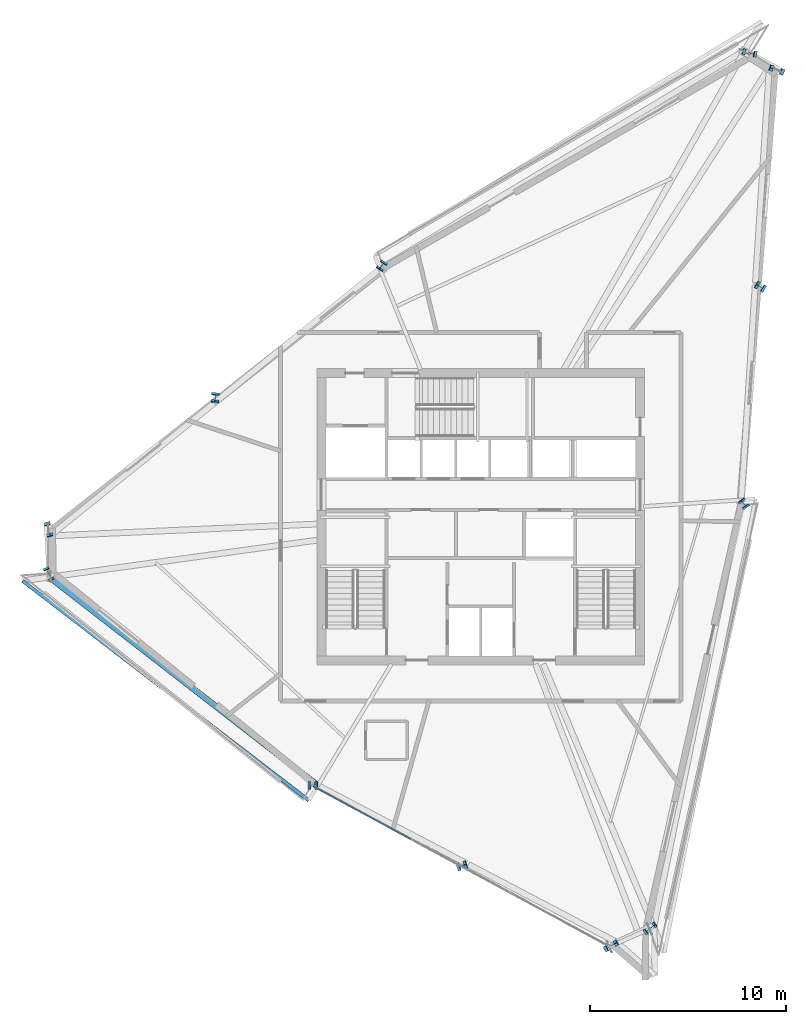
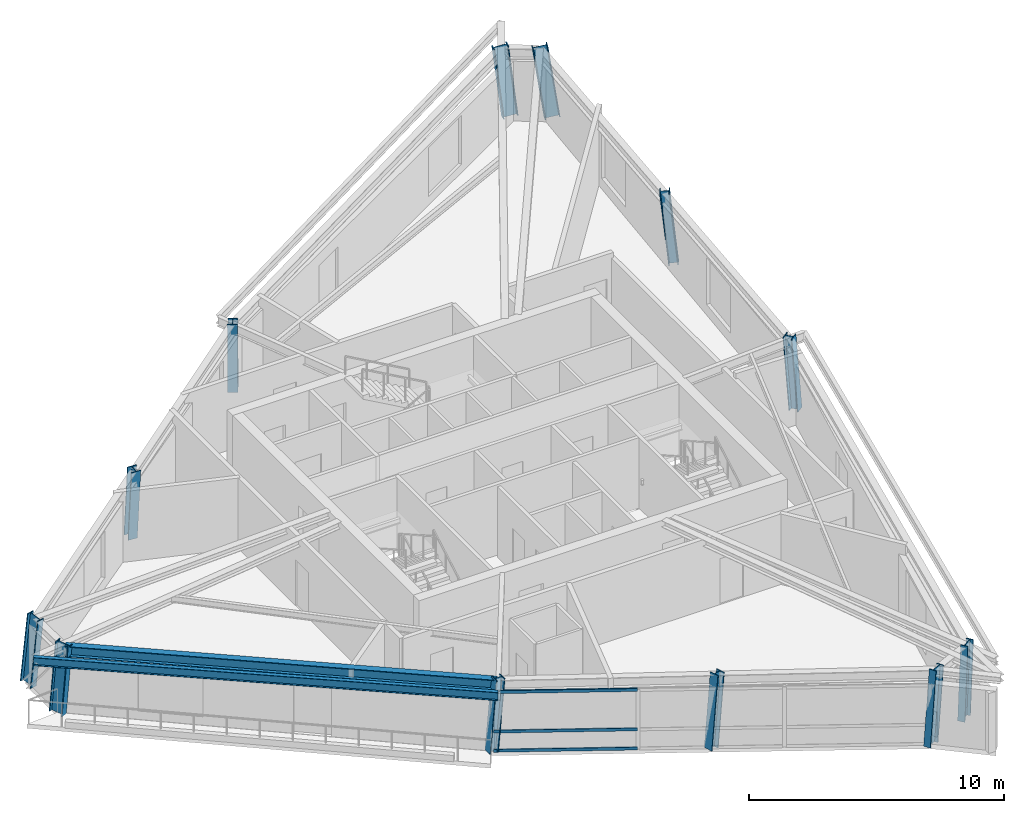
# One storey, part 1 of 15: 12 columns, 3 members, 2 beams, 1 element without a shape of its own.
"""IFC4 building model written with IfcOpenShell, lengths in metres."""

from ifc_helpers import new_model, si_unit, direction, frame, origin, origin_2d, place, context, subcontext, project, spatial, hollow_rectangle, i_section, extrude, source, transform, mapped, material, material_profile, profile_set, type_object, element, aggregate, save


model = new_model("IFC4")

# Units and contexts
model_context = context("Model", 3, precision=1e-05, world=origin(), true_north=direction((0.0, 1.0)))
body_context = subcontext(model_context, "Body", "Model", "MODEL_VIEW")
ifc_project = project(units=[si_unit("LENGTHUNIT", "METRE"), si_unit("AREAUNIT", "SQUARE_METRE"), si_unit("VOLUMEUNIT", "CUBIC_METRE"), si_unit("PLANEANGLEUNIT", "RADIAN"), si_unit("MASSUNIT", "GRAM", prefix="KILO")], contexts=[model_context])

# Site, building, storey
site_placement = place(None, origin())
site = spatial("IfcSite", under=ifc_project, at=site_placement, CompositionType="ELEMENT")
building_placement = place(site_placement, origin())
building = spatial("IfcBuilding", under=site, at=building_placement, Name="Olszyna Solenne Hotel", CompositionType="ELEMENT")
storey_placement = place(building_placement, frame((0.0, 0.0, 270.5)))
storey = spatial("IfcBuildingStorey", under=building, at=storey_placement, Name="L72", CompositionType="ELEMENT", Elevation=270.5)

# Columns
ifc_material_1 = material(Name="Steel S460M", Category="steel")
ifc_material_profile_1 = material_profile(ifc_material_1, i_section(OverallWidth=0.40087890625, OverallDepth=0.39892578125, WebThickness=0.02197265625, FlangeThickness=0.034423828125, at=origin_2d()), Name="HD 400x314", Category="load-bearing")
ifc_profile_set_1 = profile_set([ifc_material_profile_1], Name="Steel S460M")
column_type_1 = type_object("IfcColumnType", Name="COL-T5", PredefinedType="COLUMN", material=ifc_profile_set_1)
shared_shape_1 = source(origin(), body_context, "Body", "SweptSolid", [
    extrude(i_section(OverallWidth=0.40087890625, OverallDepth=0.39892578125, WebThickness=0.02197265625, FlangeThickness=0.034423828125, at=origin_2d()), origin(), (0.0, 0.0, 1.0), 3.44873046875),
])
column_1_placement = place(storey_placement, frame((24.462890625, 32.728515625, 0.0), z_axis=(-0.006371364078, -0.088491167751, 0.996056584211), x_axis=(0.997418034357, -0.071814098474, 0.0)))
element("IfcColumn", 1, at=column_1_placement, inside=storey, type_object=column_type_1, Name="Perimeter framed-tube column COL-T5 C-L72-04", PredefinedType="COLUMN", context=body_context, shape_type="MappedRepresentation", body=[
    mapped(shared_shape_1, transform((0.0, 0.0, 0.0), x_axis=(1.0, 0.0, 0.0), y_axis=(0.0, 1.0, 0.0), z_axis=(0.0, 0.0, 1.0), scale=1.0)),
])
shared_shape_2 = source(origin(), body_context, "Body", "SweptSolid", [
    extrude(i_section(OverallWidth=0.40087890625, OverallDepth=0.39892578125, WebThickness=0.02197265625, FlangeThickness=0.034423828125, at=origin_2d()), origin(), (0.0, 0.0, 1.0), 3.44482421875),
])
column_2_placement = place(storey_placement, frame((51.435546875, 27.231201171875, 0.0), z_axis=(-0.044436144626, 0.060878226848, 0.997155589939), x_axis=(-0.807718335097, -0.589568563569, 0.0)))
element("IfcColumn", 2, at=column_2_placement, inside=storey, type_object=column_type_1, Name="Perimeter framed-tube column COL-T5 C-L72-11", PredefinedType="COLUMN", context=body_context, shape_type="MappedRepresentation", body=[
    mapped(shared_shape_2, transform((0.0, 0.0, 0.0), x_axis=(1.0, 0.0, 0.0), y_axis=(0.0, 1.0, 0.0), z_axis=(0.0, 0.0, 1.0), scale=1.0)),
])
shared_shape_3 = source(origin(), body_context, "Body", "SweptSolid", [
    extrude(i_section(OverallWidth=0.40087890625, OverallDepth=0.39892578125, WebThickness=0.02197265625, FlangeThickness=0.034423828125, at=origin_2d()), origin(), (0.0, 0.0, 1.0), 3.4443359375),
])
column_3_placement = place(storey_placement, frame((32.9775390625, 39.4326171875, 0.0), z_axis=(-0.040261534601, -0.061030248752, 0.997323577165), x_axis=(0.834725272297, -0.550666614013, 0.0)))
element("IfcColumn", 3, at=column_3_placement, inside=storey, type_object=column_type_1, Name="Perimeter framed-tube column COL-T5 C-L72-03", PredefinedType="COLUMN", context=body_context, shape_type="MappedRepresentation", body=[
    mapped(shared_shape_3, transform((0.0, 0.0, 0.0), x_axis=(1.0, 0.0, 0.0), y_axis=(0.0, 1.0, 0.0), z_axis=(0.0, 0.0, 1.0), scale=1.0)),
])
ifc_material_profile_2 = material_profile(ifc_material_1, i_section(OverallWidth=0.304931640625, OverallDepth=0.6201171875, WebThickness=0.02099609375, FlangeThickness=0.0400390625, at=origin_2d()), Name="HEM 600", Category="load-bearing")
ifc_profile_set_2 = profile_set([ifc_material_profile_2], Name="Steel S460M")
column_type_2 = type_object("IfcColumnType", Name="COL-K3", PredefinedType="COLUMN", material=ifc_profile_set_2)
shared_shape_4 = source(origin(), body_context, "Body", "SweptSolid", [
    extrude(i_section(OverallWidth=0.304931640625, OverallDepth=0.6201171875, WebThickness=0.02099609375, FlangeThickness=0.0400390625, at=origin_2d()), origin(), (0.0, 0.0, 1.0), 3.469482421875),
])
column_4_placement = place(storey_placement, frame((53.17041015625, 49.35009765625, 0.0), z_axis=(-0.132362438107, 0.047146641963, 0.990079481218), x_axis=(-0.335543138669, -0.942024841547, 0.0)))
element("IfcColumn", 4, at=column_4_placement, inside=storey, type_object=column_type_2, Name="Perimeter framed-tube column COL-K3 C-L72-01", PredefinedType="COLUMN", context=body_context, shape_type="MappedRepresentation", body=[
    mapped(shared_shape_4, transform((0.0, 0.0, 0.0), x_axis=(1.0, 0.0, 0.0), y_axis=(0.0, 1.0, 0.0), z_axis=(0.0, 0.0, 1.0), scale=1.0)),
])
shared_shape_5 = source(origin(), body_context, "Body", "SweptSolid", [
    extrude(i_section(OverallWidth=0.304931640625, OverallDepth=0.6201171875, WebThickness=0.02099609375, FlangeThickness=0.0400390625, at=origin_2d()), origin(), (0.0, 0.0, 1.0), 3.458251953125),
])
column_5_placement = place(storey_placement, frame((51.768798828125, 50.234375, 0.0), z_axis=(-0.112532172855, 0.026121018793, 0.993304687621), x_axis=(-0.226108997979, -0.974102007509, 0.0)))
element("IfcColumn", 5, at=column_5_placement, inside=storey, type_object=column_type_2, Name="Perimeter framed-tube column COL-K3 C-L72-02", PredefinedType="COLUMN", context=body_context, shape_type="MappedRepresentation", body=[
    mapped(shared_shape_5, transform((0.0, 0.0, 0.0), x_axis=(1.0, 0.0, 0.0), y_axis=(0.0, 1.0, 0.0), z_axis=(0.0, 0.0, 1.0), scale=1.0)),
])
shared_shape_6 = source(origin(), body_context, "Body", "SweptSolid", [
    extrude(i_section(OverallWidth=0.304931640625, OverallDepth=0.6201171875, WebThickness=0.02099609375, FlangeThickness=0.0400390625, at=origin_2d()), origin(), (0.0, 0.0, 1.0), 3.45947265625),
])
column_6_placement = place(storey_placement, frame((15.9482421875, 26.0244140625, 0.0), z_axis=(0.027310398688, -0.115663419766, 0.992912944548), x_axis=(0.973237757323, 0.229800495475, 0.0)))
element("IfcColumn", 6, at=column_6_placement, inside=storey, type_object=column_type_2, Name="Perimeter framed-tube column COL-K3 C-L72-05", PredefinedType="COLUMN", context=body_context, shape_type="MappedRepresentation", body=[
    mapped(shared_shape_6, transform((0.0, 0.0, 0.0), x_axis=(1.0, 0.0, 0.0), y_axis=(0.0, 1.0, 0.0), z_axis=(0.0, 0.0, 1.0), scale=1.0)),
])
shared_shape_7 = source(origin(), body_context, "Body", "SweptSolid", [
    extrude(i_section(OverallWidth=0.304931640625, OverallDepth=0.6201171875, WebThickness=0.02099609375, FlangeThickness=0.0400390625, at=origin_2d()), origin(), (0.0, 0.0, 1.0), 3.447509765625),
])
column_7_placement = place(storey_placement, frame((15.956298828125, 23.727294921875, 0.0), z_axis=(0.037178471964, -0.076410611903, 0.996383048637), x_axis=(0.899208505814, 0.437520357324, 0.0)))
element("IfcColumn", 7, at=column_7_placement, inside=storey, type_object=column_type_2, Name="Perimeter framed-tube column COL-K3 C-L72-06", PredefinedType="COLUMN", context=body_context, shape_type="MappedRepresentation", body=[
    mapped(shared_shape_7, transform((0.0, 0.0, 0.0), x_axis=(1.0, 0.0, 0.0), y_axis=(0.0, 1.0, 0.0), z_axis=(0.0, 0.0, 1.0), scale=1.0)),
])
shared_shape_8 = source(origin(), body_context, "Body", "SweptSolid", [
    extrude(i_section(OverallWidth=0.40087890625, OverallDepth=0.39892578125, WebThickness=0.02197265625, FlangeThickness=0.034423828125, at=origin_2d()), origin(), (0.0, 0.0, 1.0), 3.4482421875),
])
column_8_placement = place(storey_placement, frame((29.389892578125, 12.89599609375, 0.0), z_axis=(0.08750935927, 0.001628410407, 0.996162366444), x_axis=(-0.018605193279, 0.999826908411, 0.0)))
element("IfcColumn", 8, at=column_8_placement, inside=storey, type_object=column_type_1, Name="Perimeter framed-tube column COL-T5 C-L72-07", PredefinedType="COLUMN", context=body_context, shape_type="MappedRepresentation", body=[
    mapped(shared_shape_8, transform((0.0, 0.0, 0.0), x_axis=(1.0, 0.0, 0.0), y_axis=(0.0, 1.0, 0.0), z_axis=(0.0, 0.0, 1.0), scale=1.0)),
])
shared_shape_9 = source(origin(), body_context, "Body", "SweptSolid", [
    extrude(i_section(OverallWidth=0.40087890625, OverallDepth=0.39892578125, WebThickness=0.02197265625, FlangeThickness=0.034423828125, at=origin_2d()), origin(), (0.0, 0.0, 1.0), 3.45361328125),
])
for number, where, z_axis, x_axis, name in (
    (9, (36.978271484375, 8.7900390625, 0.0), (0.098682547763, 0.032093034874, 0.994601323084), (-0.30927090678, 0.950973977677, 0.0), "Perimeter framed-tube column COL-T5 C-L72-08"),
    (10, (52.302978515625, 38.29052734375, 0.0), (-0.088644016049, 0.05407709113, 0.994594342752), (-0.520788970814, -0.853685450197, 0.0), "Perimeter framed-tube column COL-T5 C-L72-12"),
):
    element("IfcColumn", number, at=place(storey_placement, frame(where, z_axis=z_axis, x_axis=x_axis)), inside=storey, type_object=column_type_1, Name=name, PredefinedType="COLUMN", context=body_context, shape_type="MappedRepresentation", body=[
        mapped(shared_shape_9, transform((0.0, 0.0, 0.0), x_axis=(1.0, 0.0, 0.0), y_axis=(0.0, 1.0, 0.0), z_axis=(0.0, 0.0, 1.0), scale=1.0)),
    ])
shared_shape_10 = source(origin(), body_context, "Body", "SweptSolid", [
    extrude(i_section(OverallWidth=0.304931640625, OverallDepth=0.6201171875, WebThickness=0.02099609375, FlangeThickness=0.0400390625, at=origin_2d()), origin(), (0.0, 0.0, 1.0), 3.462646484375),
])
column_9_placement = place(storey_placement, frame((44.566650390625, 4.683837890625, 0.0), z_axis=(0.109634973435, 0.062537762982, 0.992002621368), x_axis=(-0.495477069619, 0.868621018328, 0.0)))
element("IfcColumn", 11, at=column_9_placement, inside=storey, type_object=column_type_2, Name="Perimeter framed-tube column COL-K3 C-L72-09", PredefinedType="COLUMN", context=body_context, shape_type="MappedRepresentation", body=[
    mapped(shared_shape_10, transform((0.0, 0.0, 0.0), x_axis=(1.0, 0.0, 0.0), y_axis=(0.0, 1.0, 0.0), z_axis=(0.0, 0.0, 1.0), scale=1.0)),
])
shared_shape_11 = source(origin(), body_context, "Body", "SweptSolid", [
    extrude(i_section(OverallWidth=0.304931640625, OverallDepth=0.6201171875, WebThickness=0.02099609375, FlangeThickness=0.0400390625, at=origin_2d()), origin(), (0.0, 0.0, 1.0), 3.44921875),
])
column_10_placement = place(storey_placement, frame((46.589599609375, 5.580078125, 0.0), z_axis=(0.071346276481, 0.056057788664, 0.995875109219), x_axis=(-0.617821551932, 0.786318338822, 0.0)))
element("IfcColumn", 12, at=column_10_placement, inside=storey, type_object=column_type_2, Name="Perimeter framed-tube column COL-K3 C-L72-10", PredefinedType="COLUMN", context=body_context, shape_type="MappedRepresentation", body=[
    mapped(shared_shape_11, transform((0.0, 0.0, 0.0), x_axis=(1.0, 0.0, 0.0), y_axis=(0.0, 1.0, 0.0), z_axis=(0.0, 0.0, 1.0), scale=1.0)),
])

# Beams
ifc_material_2 = material(Name="Steel S355J2", Category="steel")
ifc_material_profile_3 = material_profile(ifc_material_2, i_section(OverallWidth=0.300048828125, OverallDepth=0.5, WebThickness=0.014404296875, FlangeThickness=0.028076171875, at=origin_2d()), Name="HEB 500", Category="load-bearing")
ifc_profile_set_3 = profile_set([ifc_material_profile_3], Name="Steel S355J2")
beam_type_1 = type_object("IfcBeamType", Name="BM-S3", PredefinedType="BEAM", material=ifc_profile_set_3)
shared_shape_12 = source(origin(), body_context, "Body", "SweptSolid", [
    extrude(i_section(OverallWidth=0.300048828125, OverallDepth=0.5, WebThickness=0.014404296875, FlangeThickness=0.028076171875, at=origin_2d()), origin(), (0.0, 0.0, 1.0), 17.10546875),
])
beam_1_placement = place(storey_placement, frame((16.1318359375, 23.427001953125, 3.1298828125), z_axis=(0.789944381316, -0.613178501276, 0.0), x_axis=(0.613178501276, 0.789944381316, 0.0)))
element("IfcBeam", 13, at=beam_1_placement, inside=storey, type_object=beam_type_1, Name="Perimeter spandrel beam BM-S3 B-L72-2116", PredefinedType="BEAM", context=body_context, shape_type="MappedRepresentation", body=[
    mapped(shared_shape_12, transform((0.0, 0.0, 0.0), x_axis=(1.0, 0.0, 0.0), y_axis=(0.0, 1.0, 0.0), z_axis=(0.0, 0.0, 1.0), scale=1.0)),
])
ifc_material_profile_4 = material_profile(ifc_material_2, i_section(OverallWidth=0.179931640625, OverallDepth=0.39990234375, WebThickness=0.008544921875, FlangeThickness=0.013427734375, at=origin_2d()), Name="IPE 400", Category="load-bearing")
ifc_profile_set_4 = profile_set([ifc_material_profile_4], Name="Steel S355J2")
beam_type_2 = type_object("IfcBeamType", Name="BM-F5", PredefinedType="BEAM", material=ifc_profile_set_4)
shared_shape_13 = source(origin(), body_context, "Body", "SweptSolid", [
    extrude(i_section(OverallWidth=0.179931640625, OverallDepth=0.39990234375, WebThickness=0.008544921875, FlangeThickness=0.013427734375, at=origin_2d()), origin(), (0.0, 0.0, 1.0), 18.394287109375),
])
beam_2_placement = place(storey_placement, frame((14.63818359375, 23.335693359375, 3.179931640625), z_axis=(0.793390120966, -0.608713492501, 0.0), x_axis=(0.608713492501, 0.793390120966, 0.0)))
element("IfcBeam", 14, at=beam_2_placement, inside=storey, type_object=beam_type_2, Name="Loggia outer edge beam BM-F5 B-L72-2138", PredefinedType="BEAM", context=body_context, shape_type="MappedRepresentation", body=[
    mapped(shared_shape_13, transform((0.0, 0.0, 0.0), x_axis=(1.0, 0.0, 0.0), y_axis=(0.0, 1.0, 0.0), z_axis=(0.0, 0.0, 1.0), scale=1.0)),
])

# Curtain wall, members
ifc_material_3 = material(Name="Anodised bronze aluminium", Category="aluminium")
curtain_wall_type = type_object("IfcCurtainWallType", Name="CW-SYS-4", PredefinedType="NOTDEFINED", material=ifc_material_3)
curtain_wall_placement = place(storey_placement, origin())
curtain_wall = element("IfcCurtainWall", 15, at=curtain_wall_placement, inside=storey, type_object=curtain_wall_type, Name="Unitised curtain wall CW-SYS-4 CW-L72-01", PredefinedType="NOTDEFINED")
ifc_material_profile_5 = material_profile(ifc_material_3, hollow_rectangle(XDim=0.06494140625, YDim=0.139892578125, WallThickness=0.00390625, at=origin_2d()), Name="TRAN 140x65x4", Category="load-bearing")
ifc_profile_set_5 = profile_set([ifc_material_profile_5], Name="Anodised bronze aluminium")
member_type = type_object("IfcMemberType", Name="CW-T2", PredefinedType="USERDEFINED", material=ifc_profile_set_5)
shared_shape_14 = source(origin(), body_context, "Body", "SweptSolid", [
    extrude(hollow_rectangle(XDim=0.06494140625, YDim=0.139892578125, WallThickness=0.00390625, at=origin_2d()), origin(), (0.0, 0.0, 1.0), 5.654541015625),
])
member_1_placement = place(storey_placement, frame((29.447021484375, 12.865234375, 0.032470703125), z_axis=(0.879486270287, -0.475924259076, 0.0), x_axis=(0.475924259076, 0.879486270287, 0.0)))
member_1 = element("IfcMember", 16, at=member_1_placement, type_object=member_type, Name="Curtain-wall transom CW-T2 CT-L72-01-01", ObjectType="TRANSOM", PredefinedType="USERDEFINED", context=body_context, shape_type="MappedRepresentation", body=[
    mapped(shared_shape_14, transform((0.0, 0.0, 0.0), x_axis=(1.0, 0.0, 0.0), y_axis=(0.0, 1.0, 0.0), z_axis=(0.0, 0.0, 1.0), scale=1.0)),
])
member_2_placement = place(storey_placement, frame((29.447021484375, 12.865234375, 0.949951171875), z_axis=(0.879486270287, -0.475924259076, 0.0), x_axis=(0.475924259076, 0.879486270287, 0.0)))
member_2 = element("IfcMember", 17, at=member_2_placement, type_object=member_type, Name="Curtain-wall transom CW-T2 CT-L72-01-02", ObjectType="TRANSOM", PredefinedType="USERDEFINED", context=body_context, shape_type="MappedRepresentation", body=[
    mapped(shared_shape_14, transform((0.0, 0.0, 0.0), x_axis=(1.0, 0.0, 0.0), y_axis=(0.0, 1.0, 0.0), z_axis=(0.0, 0.0, 1.0), scale=1.0)),
])
member_3_placement = place(storey_placement, frame((29.447021484375, 12.865234375, 2.839599609375), z_axis=(0.879486270287, -0.475924259076, 0.0), x_axis=(0.475924259076, 0.879486270287, 0.0)))
member_3 = element("IfcMember", 18, at=member_3_placement, type_object=member_type, Name="Curtain-wall transom CW-T2 CT-L72-01-03", ObjectType="TRANSOM", PredefinedType="USERDEFINED", context=body_context, shape_type="MappedRepresentation", body=[
    mapped(shared_shape_14, transform((0.0, 0.0, 0.0), x_axis=(1.0, 0.0, 0.0), y_axis=(0.0, 1.0, 0.0), z_axis=(0.0, 0.0, 1.0), scale=1.0)),
])
aggregate(curtain_wall, [member_1, member_2, member_3])

save(model, "model.ifc")
